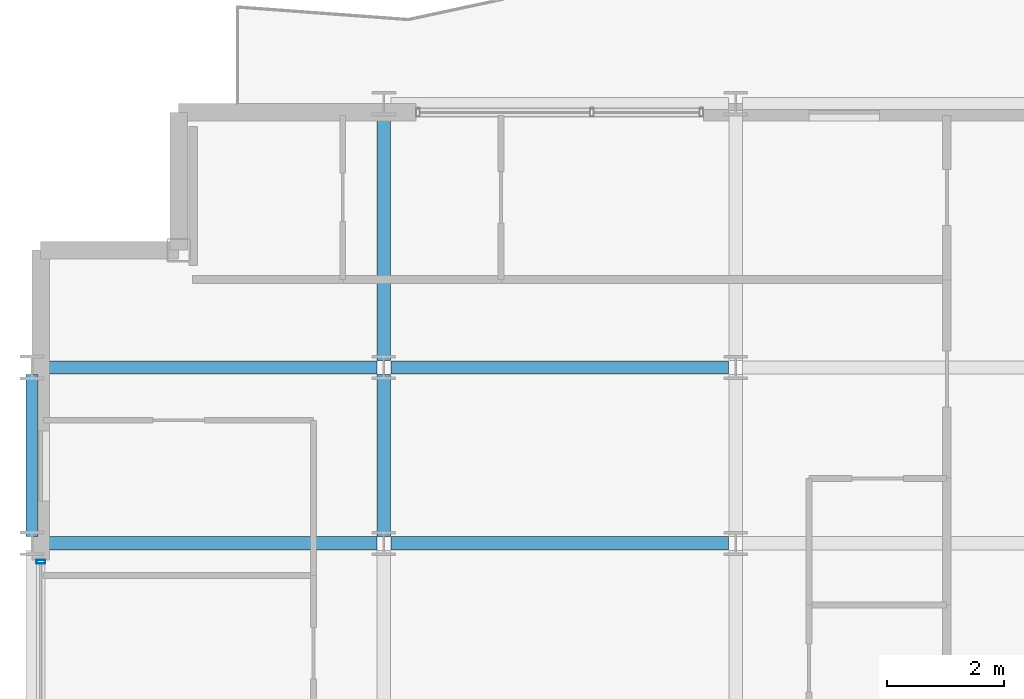
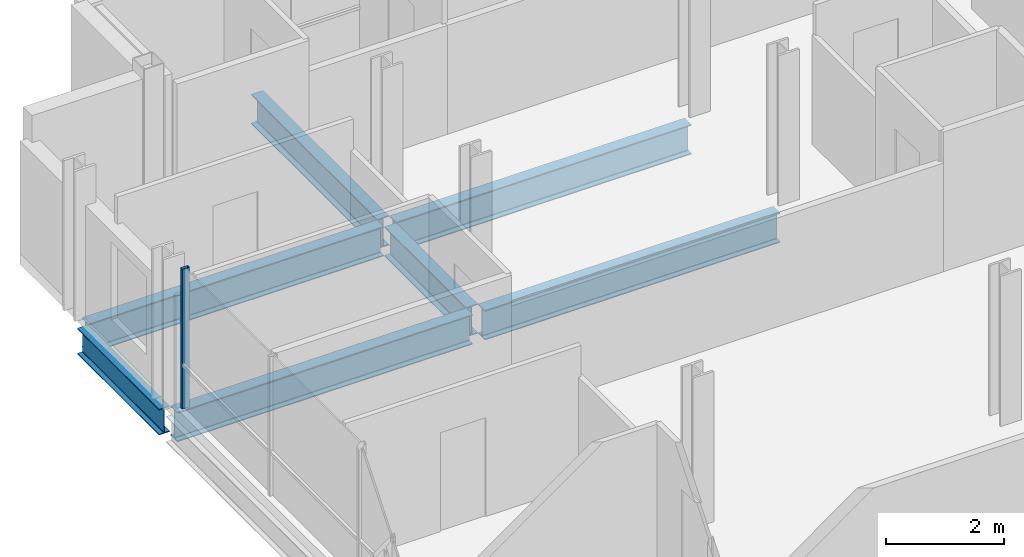
# One storey, part 9 of 41: 7 beams, 1 member, 1 element without a shape of its own.
"""IFC4 building model written with IfcOpenShell, lengths in metres."""

from ifc_helpers import new_model, si_unit, direction, frame, origin, origin_2d, place, context, subcontext, project, spatial, hollow_rectangle, i_section, extrude, material, layer, layer_set, material_profile, profile_set, type_object, element, aggregate, save


model = new_model("IFC4")

# Units and contexts
model_context = context("Model", 3, precision=1e-05, world=origin(), true_north=direction((0.0, 1.0)))
body_context = subcontext(model_context, "Body", "Model", "MODEL_VIEW")
ifc_project = project(units=[si_unit("LENGTHUNIT", "METRE"), si_unit("AREAUNIT", "SQUARE_METRE"), si_unit("VOLUMEUNIT", "CUBIC_METRE"), si_unit("PLANEANGLEUNIT", "RADIAN"), si_unit("MASSUNIT", "GRAM", prefix="KILO")], contexts=[model_context])

# Site, building, storey
site_placement = place(None, origin())
site = spatial("IfcSite", under=ifc_project, at=site_placement, CompositionType="ELEMENT")
building_placement = place(site_placement, origin())
building = spatial("IfcBuilding", under=site, at=building_placement, Name="Brevholm Reach", CompositionType="ELEMENT")
storey_placement = place(building_placement, frame((0.0, 0.0, 138.699951171875)))
storey = spatial("IfcBuildingStorey", under=building, at=storey_placement, Name="L41", CompositionType="ELEMENT", Elevation=138.699951171875)

# Beams
ifc_material_1 = material(Name="Structural Steel S355J2", Category="steel")
ifc_material_profile_1 = material_profile(ifc_material_1, i_section(OverallWidth=0.209228515625, OverallDepth=0.533203125, WebThickness=0.010009765625, FlangeThickness=0.015625, FilletRadius=0.0126953125, at=origin_2d()), Name="UKB 533x210x92")
ifc_profile_set_1 = profile_set([ifc_material_profile_1], Name="Structural Steel S355J2")
beam_type_1 = type_object("IfcBeamType", Name="BM-SP533", PredefinedType="SPANDREL", material=ifc_profile_set_1)
beam_1_placement = place(storey_placement, frame((0.0, 23.6201171875, -0.486572265625), z_axis=(0.0, 1.0, 0.0), x_axis=(-1.0, 0.0, 0.0)))
element("IfcBeam", 1, at=beam_1_placement, inside=storey, type_object=beam_type_1, Name="L41 SP-02 Framing Beam", PredefinedType="SPANDREL", context=body_context, shape_type="SweptSolid", body=[
    extrude(i_section(OverallWidth=0.209228515625, OverallDepth=0.533203125, WebThickness=0.010009765625, FlangeThickness=0.015625, FilletRadius=0.0126953125, at=origin_2d()), origin(), (0.0, 0.0, 1.0), 2.759765625),
])
ifc_material_2 = material(Name="Structural Steel S355J2", Category="steel")
ifc_material_profile_2 = material_profile(ifc_material_2, i_section(OverallWidth=0.22900390625, OverallDepth=0.6123046875, WebThickness=0.011962890625, FlangeThickness=0.01953125, FilletRadius=0.0126953125, at=origin_2d()), Name="UKB 610x229x125")
ifc_profile_set_2 = profile_set([ifc_material_profile_2], Name="Structural Steel S355J2")
beam_type_2 = type_object("IfcBeamType", Name="BM-SP610", PredefinedType="SPANDREL", material=ifc_profile_set_2)
for number, where, z_axis, x_axis, name in (
    (2, (0.1201171875, 23.5, -0.526123046875), (1.0, 0.0, 0.0), (0.0, 1.0, 0.0), "L41 SP-01 Framing Beam"),
    (3, (6.1201171875, 23.5, -0.526123046875), (1.0, 0.0, 0.0), (0.0, 1.0, 0.0), "L41 SP-01 Framing Beam"),
    (4, (0.1201171875, 26.5, -0.526123046875), (1.0, 0.0, 0.0), (0.0, 1.0, 0.0), "L41 SP-01 Framing Beam"),
    (5, (6.1201171875, 26.5, -0.526123046875), (1.0, 0.0, 0.0), (0.0, 1.0, 0.0), "L41 SP-01 Framing Beam"),
):
    element("IfcBeam", number, at=place(storey_placement, frame(where, z_axis=z_axis, x_axis=x_axis)), inside=storey, type_object=beam_type_2, Name=name, PredefinedType="SPANDREL", context=body_context, shape_type="SweptSolid", body=[
        extrude(i_section(OverallWidth=0.22900390625, OverallDepth=0.6123046875, WebThickness=0.011962890625, FlangeThickness=0.01953125, FilletRadius=0.0126953125, at=origin_2d()), origin(), (0.0, 0.0, 1.0), 5.759765625),
    ])
beam_2_placement = place(storey_placement, frame((6.0, 23.6201171875, -0.526123046875), z_axis=(0.0, 1.0, 0.0), x_axis=(-1.0, 0.0, 0.0)))
element("IfcBeam", 6, at=beam_2_placement, inside=storey, type_object=beam_type_2, Name="L41 SP-01 Framing Beam", PredefinedType="SPANDREL", context=body_context, shape_type="SweptSolid", body=[
    extrude(i_section(OverallWidth=0.22900390625, OverallDepth=0.6123046875, WebThickness=0.011962890625, FlangeThickness=0.01953125, FilletRadius=0.0126953125, at=origin_2d()), origin(), (0.0, 0.0, 1.0), 2.759765625),
])
beam_3_placement = place(storey_placement, frame((6.0, 26.6201171875, -0.526123046875), z_axis=(0.0, 1.0, 0.0), x_axis=(-1.0, 0.0, 0.0)))
element("IfcBeam", 7, at=beam_3_placement, inside=storey, type_object=beam_type_2, Name="L41 SP-01 Framing Beam", PredefinedType="SPANDREL", context=body_context, shape_type="SweptSolid", body=[
    extrude(i_section(OverallWidth=0.22900390625, OverallDepth=0.6123046875, WebThickness=0.011962890625, FlangeThickness=0.01953125, FilletRadius=0.0126953125, at=origin_2d()), origin(), (0.0, 0.0, 1.0), 4.259765625),
])

# Curtain wall, member
ifc_material_3 = material(Name="Dark Anodised Aluminium 6063-T6 and Solar-Control Glass", Category="aluminium")
ifc_layer = layer(ifc_material_3, 0.14990234375)
ifc_layer_set = layer_set([ifc_layer], Name="Dark Anodised Aluminium 6063-T6 and Solar-Control Glass")
curtain_wall_type = type_object("IfcCurtainWallType", Name="CW-01", PredefinedType="NOTDEFINED", material=ifc_layer_set)
curtain_wall_placement = place(storey_placement, origin())
curtain_wall = element("IfcCurtainWall", 8, at=curtain_wall_placement, inside=storey, type_object=curtain_wall_type, Name="L41 Curtain Wall CW-01", PredefinedType="NOTDEFINED")
ifc_material_4 = material(Name="Dark Anodised Aluminium 6063-T6", Category="aluminium")
ifc_material_profile_3 = material_profile(ifc_material_4, hollow_rectangle(XDim=0.06494140625, YDim=0.14990234375, WallThickness=0.0048828125, InnerFilletRadius=0.0048828125, OuterFilletRadius=0.010009765625, at=origin_2d()), Name="RHS 150x65x5")
ifc_profile_set_3 = profile_set([ifc_material_profile_3], Name="Dark Anodised Aluminium 6063-T6")
member_type = type_object("IfcMemberType", Name="CWM-150", PredefinedType="MULLION", material=ifc_profile_set_3)
member_placement = place(storey_placement, frame((0.14990234375, 23.1875, 0.0), z_axis=(0.0, 0.0, 1.0), x_axis=(0.0, -1.0, 0.0)))
member = element("IfcMember", 9, at=member_placement, type_object=member_type, Name="CM-150 Mullion 1", PredefinedType="MULLION", context=body_context, shape_type="SweptSolid", body=[
    extrude(hollow_rectangle(XDim=0.06494140625, YDim=0.14990234375, WallThickness=0.0048828125, InnerFilletRadius=0.0048828125, OuterFilletRadius=0.010009765625, at=origin_2d()), origin(), (0.0, 0.0, 1.0), 2.880126953125),
])
aggregate(curtain_wall, [member])

save(model, "model.ifc")
